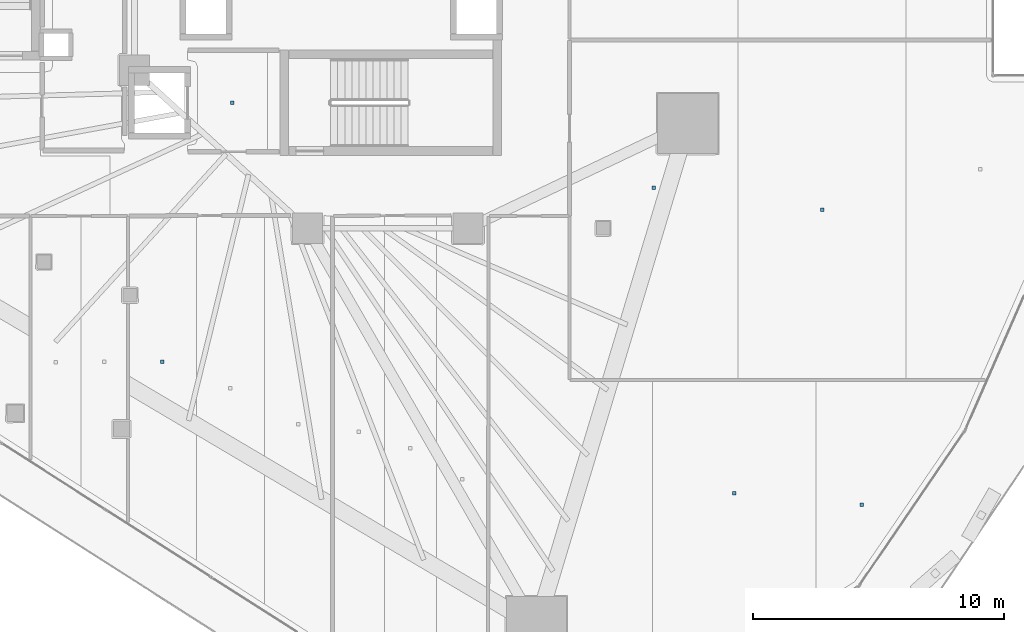
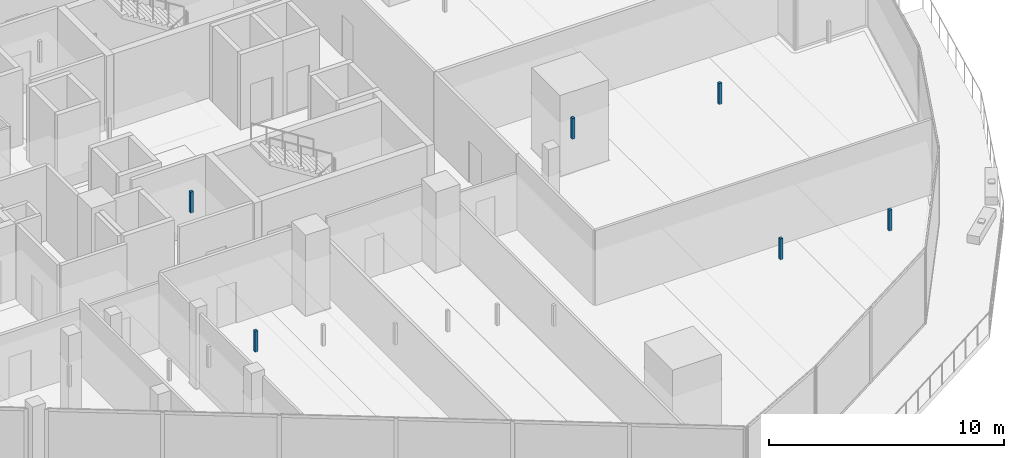
# One storey, part 32 of 44: 6 discrete accessories.
"""IFC4 building model written with IfcOpenShell, lengths in metres."""

from ifc_helpers import new_model, si_unit, direction, frame, origin, origin_2d, place, context, subcontext, project, spatial, rectangle, extrude, material, type_object, element, save


model = new_model("IFC4")

# Units and contexts
model_context = context("Model", 3, precision=1e-05, world=origin(), true_north=direction((0.0, 1.0)))
body_context = subcontext(model_context, "Body", "Model", "MODEL_VIEW")
ifc_project = project(units=[si_unit("LENGTHUNIT", "METRE"), si_unit("AREAUNIT", "SQUARE_METRE"), si_unit("VOLUMEUNIT", "CUBIC_METRE"), si_unit("PLANEANGLEUNIT", "RADIAN"), si_unit("MASSUNIT", "GRAM", prefix="KILO")], contexts=[model_context])

# Site, building, storey
site_placement = place(None, origin())
site = spatial("IfcSite", under=ifc_project, at=site_placement, CompositionType="ELEMENT")
building_placement = place(site_placement, origin())
building = spatial("IfcBuilding", under=site, at=building_placement, Name="Qorvath Tower", CompositionType="ELEMENT")
storey_placement = place(building_placement, frame((0.0, 0.0, 45.0)))
storey = spatial("IfcBuildingStorey", under=building, at=storey_placement, Name="L09", CompositionType="ELEMENT", Elevation=45.0)

# Discrete accessories
ifc_material = material(Name="Galvanised steel bracket", Category="steel")
discrete_accessory_type = type_object("IfcDiscreteAccessoryType", Name="DA-BRACKET", PredefinedType="BRACKET", material=ifc_material)
for number, where, z_axis, x_axis, name in (
    (1, (-26.590087890625, -6.449951171875, 2.860107421875), (0.0, 0.0, 1.0), (1.0, 0.0, 0.0), "Acoustic Ceiling Suspension Hanger T1-L09-002"),
    (2, (-29.38623046875, -16.767333984375, 2.860107421875), (0.0, 0.0, 1.0), (1.0, 0.0, 0.0), "Acoustic Ceiling Suspension Hanger T1-L09-024"),
    (3, (-6.577880859375, -22.011474609375, 2.860107421875), (0.0, 0.0, 1.0), (1.0, 0.0, 0.0), "Acoustic Ceiling Suspension Hanger T1-L09-031"),
    (4, (-1.494140625, -22.482177734375, 2.860107421875), (0.0, 0.0, 1.0), (1.0, 0.0, 0.0), "Acoustic Ceiling Suspension Hanger T1-L09-032"),
    (5, (-9.781982421875, -9.83447265625, 2.860107421875), (0.0, 0.0, 1.0), (1.0, 0.0, 0.0), "Acoustic Ceiling Suspension Hanger T1-L09-033"),
    (6, (-3.071533203125, -10.720947265625, 2.860107421875), (0.0, 0.0, 1.0), (1.0, 0.0, 0.0), "Acoustic Ceiling Suspension Hanger T1-L09-034"),
):
    element("IfcDiscreteAccessory", number, at=place(storey_placement, frame(where, z_axis=z_axis, x_axis=x_axis)), inside=storey, type_object=discrete_accessory_type, Name=name, PredefinedType="NOTDEFINED", context=body_context, shape_type="SweptSolid", body=[
        extrude(rectangle(XDim=0.139892578125, YDim=0.139892578125, at=origin_2d()), origin(), (0.0, 0.0, 1.0), 1.08984375),
    ])

save(model, "model.ifc")
